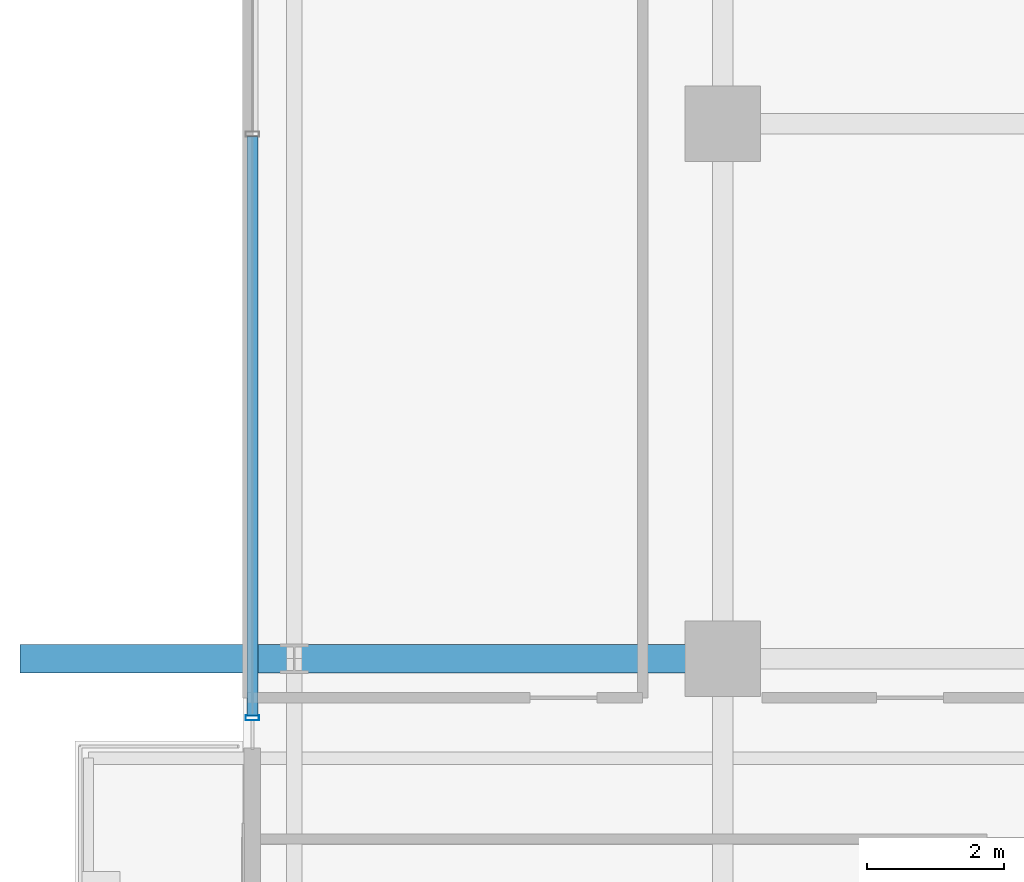
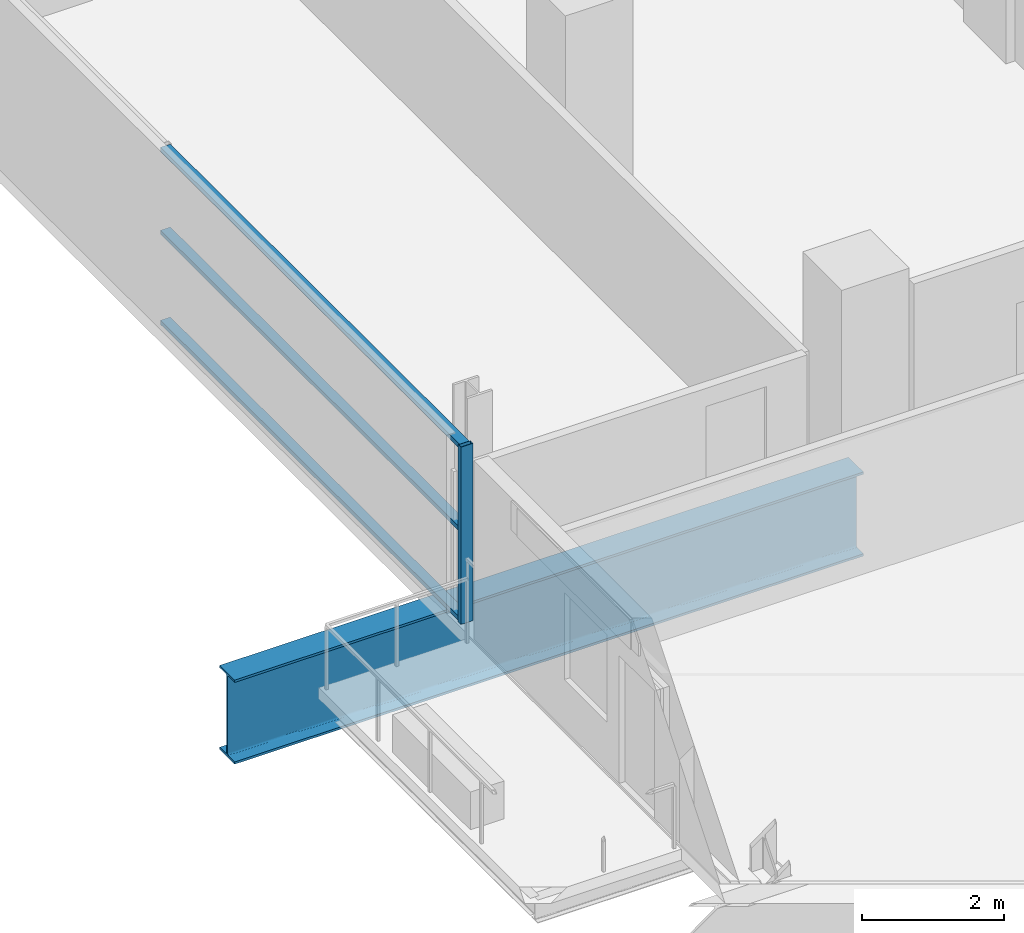
# One storey, part 5 of 31: 4 members, 1 beam, 1 element without a shape of its own.
"""IFC4 building model written with IfcOpenShell, lengths in metres."""

from ifc_helpers import new_model, si_unit, direction, frame, origin, origin_2d, place, context, subcontext, project, spatial, hollow_rectangle, i_section, extrude, source, transform, mapped, material, layer, layer_set, material_profile, profile_set, type_object, element, aggregate, save


model = new_model("IFC4")

# Units and contexts
model_context = context("Model", 3, precision=1e-05, world=origin(), true_north=direction((0.0, 1.0)))
body_context = subcontext(model_context, "Body", "Model", "MODEL_VIEW")
ifc_project = project(units=[si_unit("LENGTHUNIT", "METRE"), si_unit("AREAUNIT", "SQUARE_METRE"), si_unit("VOLUMEUNIT", "CUBIC_METRE"), si_unit("PLANEANGLEUNIT", "RADIAN"), si_unit("MASSUNIT", "GRAM", prefix="KILO")], contexts=[model_context])

# Site, building, storey
site_placement = place(None, origin())
site = spatial("IfcSite", under=ifc_project, at=site_placement, CompositionType="ELEMENT")
building_placement = place(site_placement, origin())
building = spatial("IfcBuilding", under=site, at=building_placement, Name="Zarnakvel Exchange Tower", CompositionType="ELEMENT")
storey_placement = place(building_placement, frame((0.0, 0.0, 53.800048828125)))
storey = spatial("IfcBuildingStorey", under=building, at=storey_placement, Name="L14", CompositionType="ELEMENT", Elevation=53.800048828125)

# Beam
ifc_material_1 = material(Name="Steel S460", Category="steel")
ifc_material_profile_1 = material_profile(ifc_material_1, i_section(OverallWidth=0.419921875, OverallDepth=1.449951171875, WebThickness=0.02392578125, FlangeThickness=0.0400390625, FilletRadius=0.030029296875, at=origin_2d()))
ifc_profile_set_1 = profile_set([ifc_material_profile_1], Name="Steel S460")
beam_type = type_object("IfcBeamType", Name="TG-01", PredefinedType="BEAM", material=ifc_profile_set_1)
beam_placement = place(storey_placement, frame((-31.85009765625, -1.199951171875, -0.949951171875), z_axis=(1.0, 0.0, 0.0), x_axis=(0.0, 1.0, 0.0)))
element("IfcBeam", 1, at=beam_placement, inside=storey, type_object=beam_type, Name="L14 Setback E-W Transfer Girder TW-D", PredefinedType="BEAM", context=body_context, shape_type="SweptSolid", body=[
    extrude(i_section(OverallWidth=0.419921875, OverallDepth=1.449951171875, WebThickness=0.02392578125, FlangeThickness=0.0400390625, FilletRadius=0.030029296875, at=origin_2d()), origin(), (0.0, 0.0, 1.0), 10.25),
])

# Curtain wall, members
ifc_material_2 = material(Name="Architectural Bronze Anodised Aluminium", Category="aluminium")
ifc_layer = layer(ifc_material_2, 0.199951171875)
ifc_layer_set = layer_set([ifc_layer], Name="Architectural Bronze Anodised Aluminium")
curtain_wall_type = type_object("IfcCurtainWallType", Name="CW-04", PredefinedType="NOTDEFINED", material=ifc_layer_set)
curtain_wall_placement = place(storey_placement, origin())
curtain_wall = element("IfcCurtainWall", 2, at=curtain_wall_placement, inside=storey, type_object=curtain_wall_type, Name="L14 Curtain Wall CW-L14-WN (CW-04)", PredefinedType="NOTDEFINED")
ifc_material_profile_2 = material_profile(ifc_material_2, hollow_rectangle(XDim=0.159912109375, YDim=0.074951171875, WallThickness=0.00390625, at=origin_2d()))
ifc_profile_set_2 = profile_set([ifc_material_profile_2], Name="Architectural Bronze Anodised Aluminium")
member_type_1 = type_object("IfcMemberType", Name="CWT-04", PredefinedType="USERDEFINED", material=ifc_profile_set_2)
shared_shape_1 = source(origin(), body_context, "Body", "SweptSolid", [
    extrude(hollow_rectangle(XDim=0.159912109375, YDim=0.074951171875, WallThickness=0.00390625, at=origin_2d()), origin(), (0.0, 0.0, 1.0), 8.4375),
])
member_1_placement = place(storey_placement, frame((-28.4599609375, -2.02490234375, 0.037353515625), z_axis=(0.0, 1.0, 0.0), x_axis=(-1.0, 0.0, 0.0)))
member_1 = element("IfcMember", 3, at=member_1_placement, type_object=member_type_1, Name="CW-04 transom 1.1", ObjectType="TRANSOM", PredefinedType="USERDEFINED", context=body_context, shape_type="MappedRepresentation", body=[
    mapped(shared_shape_1, transform((0.0, 0.0, 0.0), x_axis=(1.0, 0.0, 0.0), y_axis=(0.0, 1.0, 0.0), z_axis=(0.0, 0.0, 1.0), scale=1.0)),
])
member_2_placement = place(storey_placement, frame((-28.4599609375, -2.02490234375, 1.588623046875), z_axis=(0.0, 1.0, 0.0), x_axis=(-1.0, 0.0, 0.0)))
member_2 = element("IfcMember", 4, at=member_2_placement, type_object=member_type_1, Name="CW-04 transom 1.2", ObjectType="TRANSOM", PredefinedType="USERDEFINED", context=body_context, shape_type="MappedRepresentation", body=[
    mapped(shared_shape_1, transform((0.0, 0.0, 0.0), x_axis=(1.0, 0.0, 0.0), y_axis=(0.0, 1.0, 0.0), z_axis=(0.0, 0.0, 1.0), scale=1.0)),
])
member_3_placement = place(storey_placement, frame((-28.4599609375, -2.02490234375, 3.017333984375), z_axis=(0.0, 1.0, 0.0), x_axis=(-1.0, 0.0, 0.0)))
member_3 = element("IfcMember", 5, at=member_3_placement, type_object=member_type_1, Name="CW-04 transom 1.3", ObjectType="TRANSOM", PredefinedType="USERDEFINED", context=body_context, shape_type="MappedRepresentation", body=[
    mapped(shared_shape_1, transform((0.0, 0.0, 0.0), x_axis=(1.0, 0.0, 0.0), y_axis=(0.0, 1.0, 0.0), z_axis=(0.0, 0.0, 1.0), scale=1.0)),
])
ifc_material_profile_3 = material_profile(ifc_material_2, hollow_rectangle(XDim=0.199951171875, YDim=0.074951171875, WallThickness=0.0048828125, at=origin_2d()))
ifc_profile_set_3 = profile_set([ifc_material_profile_3], Name="Architectural Bronze Anodised Aluminium")
member_type_2 = type_object("IfcMemberType", Name="CWM-04", PredefinedType="MULLION", material=ifc_profile_set_3)
shared_shape_2 = source(origin(), body_context, "Body", "SweptSolid", [
    extrude(hollow_rectangle(XDim=0.199951171875, YDim=0.074951171875, WallThickness=0.0048828125, at=origin_2d()), origin(), (0.0, 0.0, 1.0), 3.054931640625),
])
member_4_placement = place(storey_placement, frame((-28.4599609375, -2.0625, 0.0), z_axis=(0.0, 0.0, 1.0), x_axis=(-1.0, 0.0, 0.0)))
member_4 = element("IfcMember", 6, at=member_4_placement, type_object=member_type_2, Name="CW-04 mullion 1", PredefinedType="MULLION", context=body_context, shape_type="MappedRepresentation", body=[
    mapped(shared_shape_2, transform((0.0, 0.0, 0.0), x_axis=(1.0, 0.0, 0.0), y_axis=(0.0, 1.0, 0.0), z_axis=(0.0, 0.0, 1.0), scale=1.0)),
])
aggregate(curtain_wall, [member_4, member_1, member_2, member_3])

save(model, "model.ifc")
